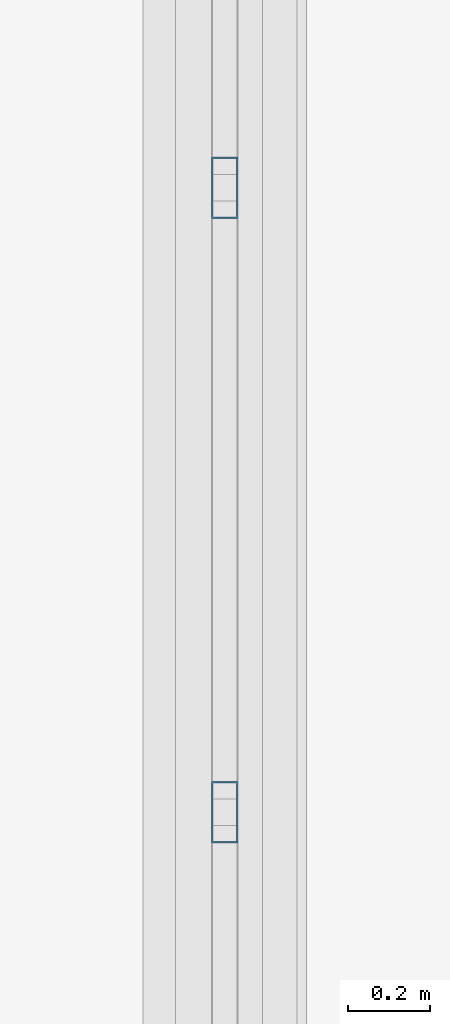
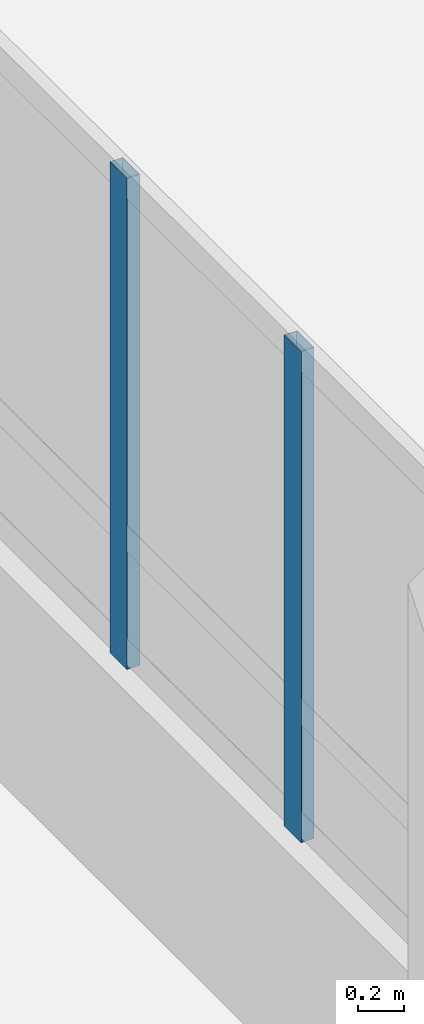
# One storey, part 32 of 95: 2 members, 1 element without a shape of its own.
"""IFC4 building model written with IfcOpenShell, lengths in metres."""

from ifc_helpers import new_model, si_unit, direction, frame, origin, origin_2d, place, context, subcontext, project, spatial, hollow_rectangle, extrude, material, layer, layer_set, material_profile, profile_set, type_object, element, aggregate, save


model = new_model("IFC4")

# Units and contexts
model_context = context("Model", 3, precision=1e-05, world=origin(), true_north=direction((0.0, 1.0)))
body_context = subcontext(model_context, "Body", "Model", "MODEL_VIEW")
ifc_project = project(units=[si_unit("LENGTHUNIT", "METRE"), si_unit("AREAUNIT", "SQUARE_METRE"), si_unit("VOLUMEUNIT", "CUBIC_METRE"), si_unit("PLANEANGLEUNIT", "RADIAN"), si_unit("MASSUNIT", "GRAM", prefix="KILO")], contexts=[model_context])

# Site, building, storey
site_placement = place(None, origin())
site = spatial("IfcSite", under=ifc_project, at=site_placement, CompositionType="ELEMENT")
building_placement = place(site_placement, origin())
building = spatial("IfcBuilding", under=site, at=building_placement, Name="Vireocrest Preparatory School", CompositionType="ELEMENT")
storey_placement = place(building_placement, origin())
storey = spatial("IfcBuildingStorey", under=building, at=storey_placement, Name="L00", CompositionType="ELEMENT", Elevation=0.0)

# Curtain wall, members
ifc_material = material(Name="Thermally broken aluminium EN AW-6063-T6", Category="aluminium")
ifc_layer = layer(ifc_material, 0.179931640625)
ifc_layer_set = layer_set([ifc_layer], Name="Thermally broken aluminium EN AW-6063-T6")
curtain_wall_type = type_object("IfcCurtainWallType", Name="Court Banded Curtain Wall 8400x3600", PredefinedType="USERDEFINED", material=ifc_layer_set)
curtain_wall_placement = place(storey_placement, origin())
curtain_wall = element("IfcCurtainWall", 1, at=curtain_wall_placement, inside=storey, type_object=curtain_wall_type, Name="Curtain Wall CW01 CW_L00_CW01_0672_0441_012", ObjectType="CURTAIN WALL", PredefinedType="USERDEFINED")
ifc_material_profile = material_profile(ifc_material, hollow_rectangle(XDim=0.06494140625, YDim=0.14990234375, WallThickness=0.00390625, at=origin_2d()), Name="ALU 65x150x4")
ifc_profile_set = profile_set([ifc_material_profile], Name="Thermally broken aluminium EN AW-6063-T6")
member_type = type_object("IfcMemberType", Name="CW Mullion 65x150x4", PredefinedType="MULLION", material=ifc_profile_set)
member_1_placement = place(storey_placement, frame((67.199951171875, 45.7109375, 1.14990234375), z_axis=(0.0, 0.0, 1.0), x_axis=(1.0, 0.0, 0.0)))
member_1 = element("IfcMember", 2, at=member_1_placement, type_object=member_type, Name="CW Mullion ML1 CW_L00_CW01_0672_0441_012-2", PredefinedType="MULLION", context=body_context, shape_type="SweptSolid", body=[
    extrude(hollow_rectangle(XDim=0.06494140625, YDim=0.14990234375, WallThickness=0.00390625, at=origin_2d()), origin(), (0.0, 0.0, 1.0), 2.625),
])
member_2_placement = place(storey_placement, frame((67.199951171875, 47.237060546875, 1.14990234375), z_axis=(0.0, 0.0, 1.0), x_axis=(1.0, 0.0, 0.0)))
member_2 = element("IfcMember", 3, at=member_2_placement, type_object=member_type, Name="CW Mullion ML1 CW_L00_CW01_0672_0441_012-3", PredefinedType="MULLION", context=body_context, shape_type="SweptSolid", body=[
    extrude(hollow_rectangle(XDim=0.06494140625, YDim=0.14990234375, WallThickness=0.00390625, at=origin_2d()), origin(), (0.0, 0.0, 1.0), 2.625),
])
aggregate(curtain_wall, [member_1, member_2])

save(model, "model.ifc")
